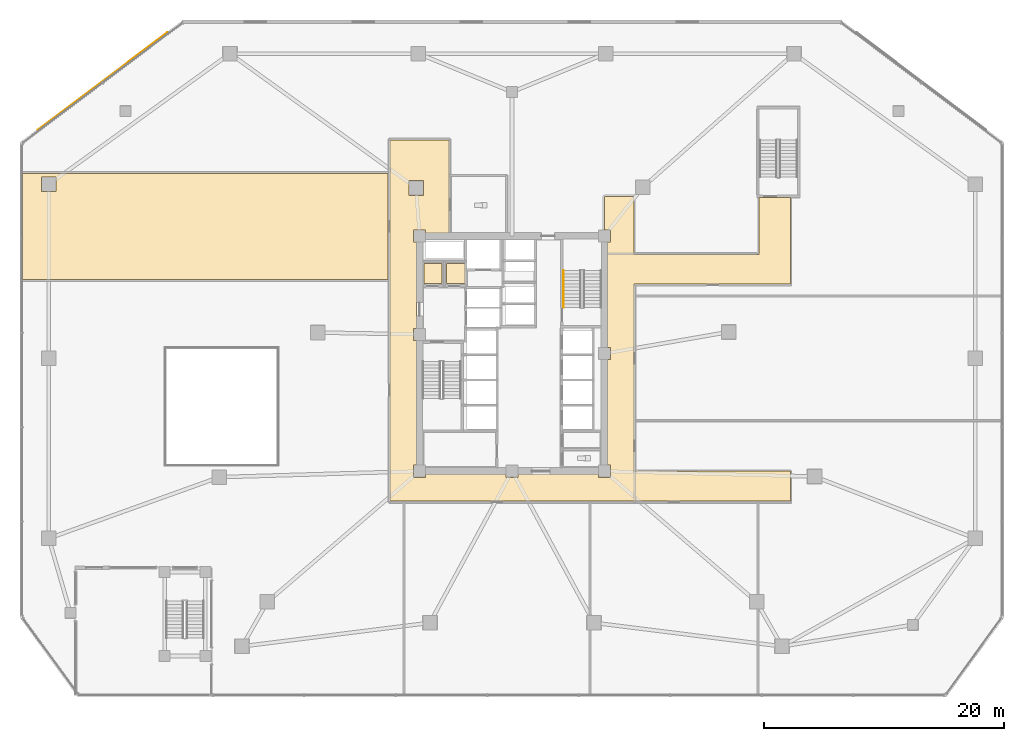
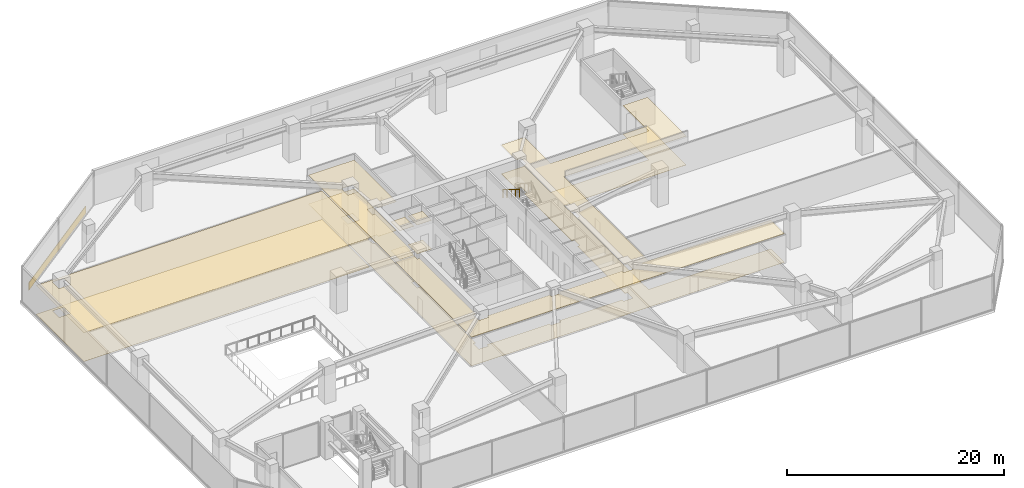
# One storey, part 17 of 22: 9 coverings, 1 railing.
"""IFC4 building model written with IfcOpenShell, lengths in metres."""

from ifc_helpers import new_model, si_unit, direction, frame, origin, origin_2d, place, context, subcontext, project, spatial, polyline, rectangle, circle, outline, extrude, material, layer, layer_set, type_object, element, save


model = new_model("IFC4")

# Units and contexts
model_context = context("Model", 3, precision=1e-05, world=origin(), true_north=direction((0.0, 1.0)))
body_context = subcontext(model_context, "Body", "Model", "MODEL_VIEW")
ifc_project = project(units=[si_unit("LENGTHUNIT", "METRE"), si_unit("AREAUNIT", "SQUARE_METRE"), si_unit("VOLUMEUNIT", "CUBIC_METRE"), si_unit("PLANEANGLEUNIT", "RADIAN"), si_unit("MASSUNIT", "GRAM", prefix="KILO")], contexts=[model_context])

# Site, building, storey
site_placement = place(None, origin())
site = spatial("IfcSite", under=ifc_project, at=site_placement, CompositionType="ELEMENT")
building_placement = place(site_placement, origin())
building = spatial("IfcBuilding", under=site, at=building_placement, Name="Savorim Split Tower", CompositionType="ELEMENT")
storey_placement = place(building_placement, frame((0.0, 0.0, 13.39990234375)))
storey = spatial("IfcBuildingStorey", under=building, at=storey_placement, Name="L03", CompositionType="ELEMENT", Elevation=13.39990234375)

# Coverings
ifc_material_1 = material(Name="Mineral Fibre Acoustic Ceiling")
ifc_layer_1 = layer(ifc_material_1, 0.02490234375)
ifc_layer_set_1 = layer_set([ifc_layer_1], Name="COV-CEIL-25")
covering_type_1 = type_object("IfcCoveringType", Name="COV-CEIL-25", PredefinedType="CEILING", material=ifc_layer_set_1)
covering_1_placement = place(storey_placement, frame((0.0, 0.0, 3.239990234375)))
element("IfcCovering", 1, at=covering_1_placement, inside=storey, type_object=covering_type_1, Name="L03 Electrical Riser Acoustic Ceiling", PredefinedType="CEILING", context=body_context, shape_type="SweptSolid", body=[
    extrude(outline(polyline([(-7.320068359375, 7.919921875), (-7.320068359375, 6.22998046875), (-5.830078125, 6.22998046875), (-5.830078125, 7.919921875), (-7.320068359375, 7.919921875)])), origin(), (0.0, 0.0, 1.0), 0.025146484375),
])
covering_2_placement = place(storey_placement, frame((0.0, 0.0, 3.239990234375)))
element("IfcCovering", 2, at=covering_2_placement, inside=storey, type_object=covering_type_1, Name="L03 Telecom Riser Acoustic Ceiling", PredefinedType="CEILING", context=body_context, shape_type="SweptSolid", body=[
    extrude(outline(polyline([(-5.469970703125, 7.919921875), (-5.469970703125, 6.22998046875), (-3.929931640625, 6.22998046875), (-3.929931640625, 7.919921875), (-5.469970703125, 7.919921875)])), origin(), (0.0, 0.0, 1.0), 0.025146484375),
])
covering_3_placement = place(storey_placement, frame((0.0, 0.0, 3.239990234375)))
element("IfcCovering", 3, at=covering_3_placement, inside=storey, type_object=covering_type_1, Name="L03 Corridor Acoustic Ceiling", PredefinedType="CEILING", context=body_context, shape_type="SweptSolid", body=[
    extrude(outline(polyline([(-7.699951171875, 18.199951171875), (-10.14990234375, 18.199951171875), (-10.14990234375, -9.39990234375), (-10.14990234375, -11.89990234375), (-7.699951171875, -11.89990234375), (7.699951171875, -11.89990234375), (10.14990234375, -11.89990234375), (23.199951171875, -11.89990234375), (23.199951171875, -9.39990234375), (10.14990234375, -9.39990234375), (10.14990234375, 6.199951171875), (23.199951171875, 6.199951171875), (23.199951171875, 8.64990234375), (23.199951171875, 13.39990234375), (20.60009765625, 13.39990234375), (20.60009765625, 8.64990234375), (10.14990234375, 8.64990234375), (10.14990234375, 13.5), (7.699951171875, 13.5), (7.699951171875, 10.7099609375), (8.2099609375, 10.7099609375), (8.2099609375, 9.68994140625), (7.949951171875, 9.68994140625), (7.949951171875, 0.909912109375), (8.2099609375, 0.909912109375), (8.2099609375, -0.110107421875), (7.949951171875, -0.110107421875), (7.949951171875, -8.889892578125), (8.2099609375, -8.889892578125), (8.2099609375, -9.909912109375), (7.18994140625, -9.909912109375), (7.18994140625, -9.64990234375), (0.510009765625, -9.64990234375), (0.510009765625, -9.909912109375), (-0.510009765625, -9.909912109375), (-0.510009765625, -9.64990234375), (-7.18994140625, -9.64990234375), (-7.18994140625, -9.909912109375), (-8.2099609375, -9.909912109375), (-8.2099609375, -8.889892578125), (-7.949951171875, -8.889892578125), (-7.949951171875, 1.489990234375), (-8.2099609375, 1.489990234375), (-8.2099609375, 2.510009765625), (-7.949951171875, 2.510009765625), (-7.949951171875, 9.68994140625), (-8.2099609375, 9.68994140625), (-8.2099609375, 10.7099609375), (-7.18994140625, 10.7099609375), (-7.18994140625, 10.449951171875), (-5.25, 10.449951171875), (-5.25, 18.199951171875), (-7.699951171875, 18.199951171875)]), holes=[polyline([(-8.6025390625, 13.591796875), (-7.382568359375, 13.591796875), (-7.382568359375, 14.811767578125), (-8.6025390625, 14.811767578125), (-8.6025390625, 13.591796875)])]), origin(), (0.0, 0.0, 1.0), 0.025146484375),
])
covering_4_placement = place(storey_placement, frame((0.0, 0.0, 3.239990234375)))
element("IfcCovering", 4, at=covering_4_placement, inside=storey, type_object=covering_type_1, Name="L03 Maker Workshop Acoustic Ceiling", PredefinedType="CEILING", context=body_context, shape_type="SweptSolid", body=[
    extrude(outline(polyline([(-10.31494140625, 6.594970703125), (-10.31494140625, 15.405029296875), (-40.780029296875, 15.405029296875), (-40.780029296875, 6.594970703125), (-10.31494140625, 6.594970703125)]), holes=[polyline([(-37.989990234375, 15.110107421875), (-39.2099609375, 15.110107421875), (-39.2099609375, 13.889892578125), (-37.989990234375, 13.889892578125), (-37.989990234375, 15.110107421875)])]), origin(), (0.0, 0.0, 1.0), 0.025146484375),
])
ifc_material_2 = material(Name="Terracotta Ceramic-Coated Aluminium Fin", Category="masonry")
ifc_layer_2 = layer(ifc_material_2, 0.050048828125)
ifc_layer_set_2 = layer_set([ifc_layer_2], Name="COV-CLAD-TERRA")
covering_type_2 = type_object("IfcCoveringType", Name="COV-CLAD-TERRA", PredefinedType="CLADDING", material=ifc_layer_set_2)
covering_5_placement = place(storey_placement, frame((-34.10009765625, 23.10009765625, 0.025146484375), z_axis=(0.0, 0.0, 1.0), x_axis=(0.798635510047, 0.601815023152, 0.0)))
element("IfcCovering", 5, at=covering_5_placement, inside=storey, type_object=covering_type_2, Name="L03 NW Podium Spandrel Cladding", PredefinedType="CLADDING", context=body_context, shape_type="SweptSolid", body=[
    extrude(rectangle(XDim=13.5, YDim=0.050048828125, at=origin_2d()), origin(), (0.0, 0.0, 1.0), 0.85009765625),
])
ifc_material_3 = material(Name="Porcelain Stoneware Flooring", Category="masonry")
ifc_layer_3 = layer(ifc_material_3, 0.02001953125)
ifc_layer_set_3 = layer_set([ifc_layer_3], Name="COV-FLOR-20")
covering_type_3 = type_object("IfcCoveringType", Name="COV-FLOR-20", PredefinedType="FLOORING", material=ifc_layer_set_3)
covering_6_placement = place(storey_placement, origin())
element("IfcCovering", 6, at=covering_6_placement, inside=storey, type_object=covering_type_3, Name="L03 Electrical Riser Porcelain Flooring", PredefinedType="FLOORING", context=body_context, shape_type="SweptSolid", body=[
    extrude(outline(polyline([(-7.320068359375, 7.919921875), (-7.320068359375, 6.22998046875), (-5.830078125, 6.22998046875), (-5.830078125, 7.919921875), (-7.320068359375, 7.919921875)])), origin(), (0.0, 0.0, 1.0), 0.02001953125),
])
covering_7_placement = place(storey_placement, origin())
element("IfcCovering", 7, at=covering_7_placement, inside=storey, type_object=covering_type_3, Name="L03 Telecom Riser Porcelain Flooring", PredefinedType="FLOORING", context=body_context, shape_type="SweptSolid", body=[
    extrude(outline(polyline([(-5.469970703125, 7.919921875), (-5.469970703125, 6.22998046875), (-3.929931640625, 6.22998046875), (-3.929931640625, 7.919921875), (-5.469970703125, 7.919921875)])), origin(), (0.0, 0.0, 1.0), 0.02001953125),
])
covering_8_placement = place(storey_placement, origin())
element("IfcCovering", 8, at=covering_8_placement, inside=storey, type_object=covering_type_3, Name="L03 Corridor Porcelain Flooring", PredefinedType="FLOORING", context=body_context, shape_type="SweptSolid", body=[
    extrude(outline(polyline([(-7.699951171875, 18.199951171875), (-10.14990234375, 18.199951171875), (-10.14990234375, -9.39990234375), (-10.14990234375, -11.89990234375), (-7.699951171875, -11.89990234375), (7.699951171875, -11.89990234375), (10.14990234375, -11.89990234375), (23.199951171875, -11.89990234375), (23.199951171875, -9.39990234375), (10.14990234375, -9.39990234375), (10.14990234375, 6.199951171875), (23.199951171875, 6.199951171875), (23.199951171875, 8.64990234375), (23.199951171875, 13.39990234375), (20.60009765625, 13.39990234375), (20.60009765625, 8.64990234375), (10.14990234375, 8.64990234375), (10.14990234375, 13.5), (7.699951171875, 13.5), (7.699951171875, 10.7099609375), (8.2099609375, 10.7099609375), (8.2099609375, 9.68994140625), (7.949951171875, 9.68994140625), (7.949951171875, 0.909912109375), (8.2099609375, 0.909912109375), (8.2099609375, -0.110107421875), (7.949951171875, -0.110107421875), (7.949951171875, -8.889892578125), (8.2099609375, -8.889892578125), (8.2099609375, -9.909912109375), (7.18994140625, -9.909912109375), (7.18994140625, -9.64990234375), (0.510009765625, -9.64990234375), (0.510009765625, -9.909912109375), (-0.510009765625, -9.909912109375), (-0.510009765625, -9.64990234375), (-7.18994140625, -9.64990234375), (-7.18994140625, -9.909912109375), (-8.2099609375, -9.909912109375), (-8.2099609375, -8.889892578125), (-7.949951171875, -8.889892578125), (-7.949951171875, 1.489990234375), (-8.2099609375, 1.489990234375), (-8.2099609375, 2.510009765625), (-7.949951171875, 2.510009765625), (-7.949951171875, 9.68994140625), (-8.2099609375, 9.68994140625), (-8.2099609375, 10.7099609375), (-7.18994140625, 10.7099609375), (-7.18994140625, 10.449951171875), (-5.25, 10.449951171875), (-5.25, 18.199951171875), (-7.699951171875, 18.199951171875)]), holes=[polyline([(-8.6025390625, 13.591796875), (-7.382568359375, 13.591796875), (-7.382568359375, 14.811767578125), (-8.6025390625, 14.811767578125), (-8.6025390625, 13.591796875)])]), origin(), (0.0, 0.0, 1.0), 0.02001953125),
])
covering_9_placement = place(storey_placement, origin())
element("IfcCovering", 9, at=covering_9_placement, inside=storey, type_object=covering_type_3, Name="L03 Maker Workshop Porcelain Flooring", PredefinedType="FLOORING", context=body_context, shape_type="SweptSolid", body=[
    extrude(outline(polyline([(-10.31494140625, 6.594970703125), (-10.31494140625, 15.405029296875), (-40.780029296875, 15.405029296875), (-40.780029296875, 6.594970703125), (-10.31494140625, 6.594970703125)]), holes=[polyline([(-37.989990234375, 15.110107421875), (-39.2099609375, 15.110107421875), (-39.2099609375, 13.889892578125), (-37.989990234375, 13.889892578125), (-37.989990234375, 15.110107421875)])]), origin(), (0.0, 0.0, 1.0), 0.02001953125),
])

# Railing
ifc_material_4 = material(Name="Galvanised Painted Steel Balustrade", Category="steel")
railing_type = type_object("IfcRailingType", Name="RLG-HR-900", PredefinedType="HANDRAIL", material=ifc_material_4)
railing_placement = place(storey_placement, frame((4.300048828125, 7.330078125, 2.275146484375)))
element("IfcRailing", 10, at=railing_placement, inside=storey, type_object=railing_type, Name="L03 ST-2 stair handrail 2", PredefinedType="HANDRAIL", context=body_context, shape_type="SweptSolid", body=[
    extrude(circle(Radius=0.02392578125, at=origin_2d()), frame((0.0, 0.0, 0.8759765625), z_axis=(0.0, -0.847998304005, 0.529998940003), x_axis=(1.0, 0.0, 0.0)), (0.0, 0.0, 1.0), 3.632080078125),
    extrude(circle(Radius=0.02099609375, at=origin_2d()), origin(), (0.0, 0.0, 1.0), 0.851806640625),
    extrude(circle(Radius=0.02099609375, at=origin_2d()), frame((0.0, -0.77001953125, 0.481201171875)), (0.0, 0.0, 1.0), 0.851806640625),
    extrude(circle(Radius=0.02099609375, at=origin_2d()), frame((0.0, -1.5400390625, 0.96240234375)), (0.0, 0.0, 1.0), 0.851806640625),
    extrude(circle(Radius=0.02099609375, at=origin_2d()), frame((0.0, -2.31005859375, 1.44384765625)), (0.0, 0.0, 1.0), 0.851806640625),
    extrude(circle(Radius=0.02099609375, at=origin_2d()), frame((0.0, -3.080078125, 1.925048828125)), (0.0, 0.0, 1.0), 0.851806640625),
])

save(model, "model.ifc")
